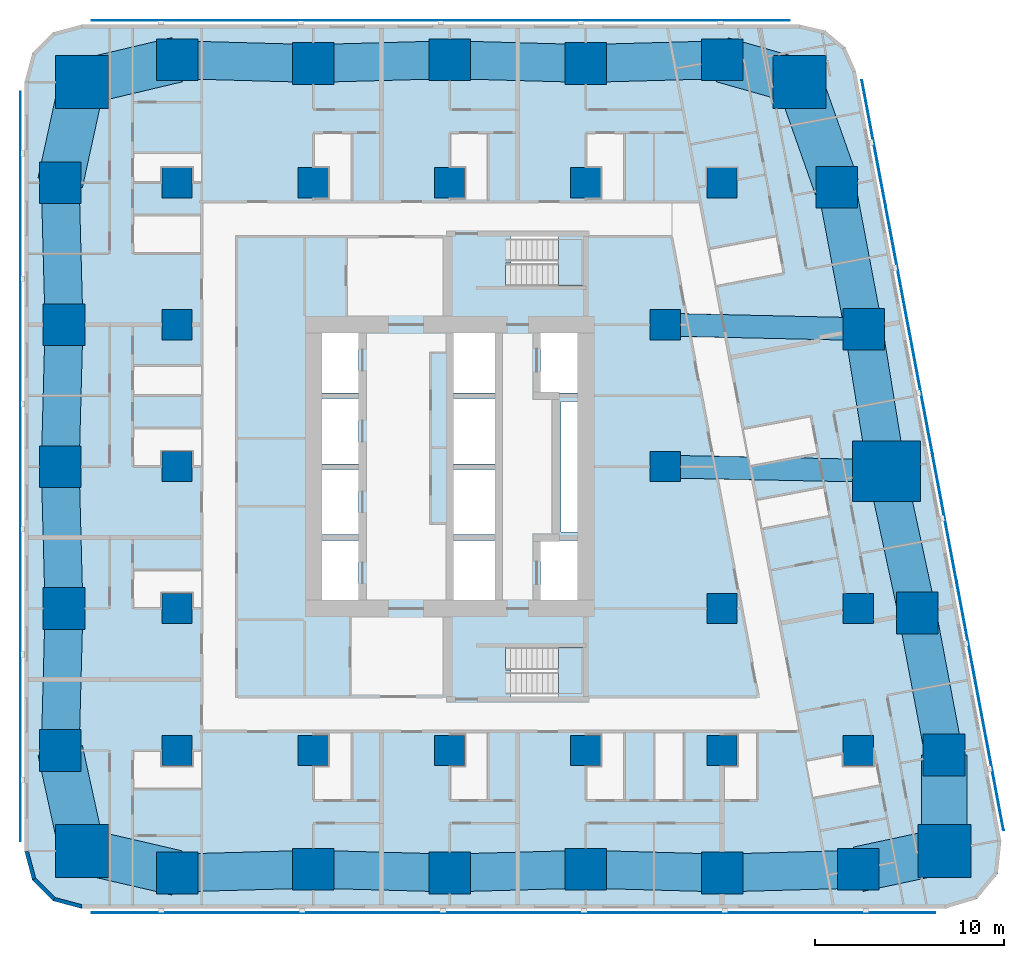
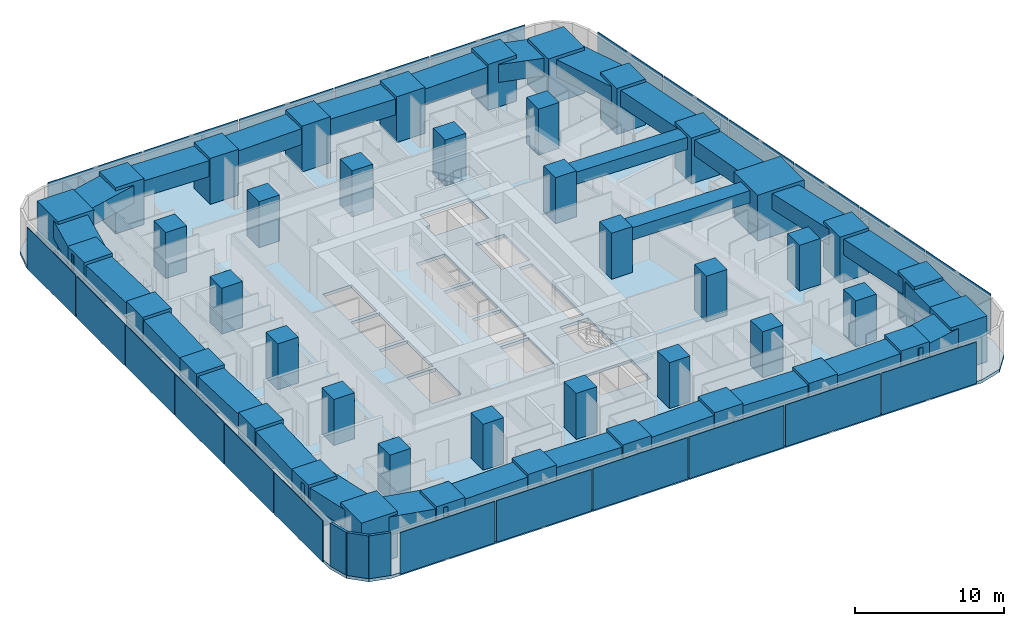
# One storey, part 1 of 16: 43 columns, 27 beams, 23 plates, 3 slabs, 3 walls, 2 elements without a shape of their own.
"""IFC4 building model written with IfcOpenShell, lengths in metres."""

from ifc_helpers import new_model, si_unit, direction, frame, frame_2d, origin, origin_2d, place, context, subcontext, project, spatial, polyline, rectangle, outline, extrude, material, layer, layer_set, material_profile, profile_set, type_object, element, aggregate, save


model = new_model("IFC4")

# Units and contexts
model_context = context("Model", 3, precision=1e-05, world=origin(), true_north=direction((0.0, 1.0)))
body_context = subcontext(model_context, "Body", "Model", "MODEL_VIEW")
ifc_project = project(units=[si_unit("LENGTHUNIT", "METRE"), si_unit("AREAUNIT", "SQUARE_METRE"), si_unit("VOLUMEUNIT", "CUBIC_METRE"), si_unit("PLANEANGLEUNIT", "RADIAN"), si_unit("MASSUNIT", "GRAM", prefix="KILO")], contexts=[model_context])

# Site, building, storey
site_placement = place(None, origin())
site = spatial("IfcSite", under=ifc_project, at=site_placement, CompositionType="ELEMENT")
building_placement = place(site_placement, origin())
building = spatial("IfcBuilding", under=site, at=building_placement, Name="Sheger Commons Tower", CompositionType="ELEMENT")
storey_placement = place(building_placement, frame((0.0, 0.0, 92.89990234375)))
storey = spatial("IfcBuildingStorey", under=building, at=storey_placement, Name="L23", CompositionType="ELEMENT", Elevation=92.89990234375)

# Columns
ifc_material_1 = material(Name="Concrete C50/60", Category="concrete")
ifc_material_profile_1 = material_profile(ifc_material_1, rectangle(XDim=3.60009765625, YDim=3.199951171875, at=origin_2d()), Name="RC 3600x3200")
ifc_profile_set_1 = profile_set([ifc_material_profile_1], Name="Concrete C50/60")
column_type_1 = type_object("IfcColumnType", Name="COLUMN PIER RC 3600x3200", PredefinedType="COLUMN", material=ifc_profile_set_1)
column_placement = place(storey_placement, frame((44.697021484375, 22.262939453125, 0.0), z_axis=(0.0, 0.0, 1.0), x_axis=(1.0, 0.0, 0.0)))
element("IfcColumn", 1, at=column_placement, inside=storey, type_object=column_type_1, Name="Pier 7/D+E/D L23", PredefinedType="COLUMN", context=body_context, shape_type="SweptSolid", body=[
    extrude(rectangle(XDim=3.60009765625, YDim=3.199951171875, at=origin_2d()), origin(), (0.0, 0.0, 1.0), 3.75),
])
ifc_material_2 = material(Name="Concrete C50/60", Category="concrete")
ifc_material_profile_2 = material_profile(ifc_material_2, rectangle(XDim=1.60009765625, YDim=1.60009765625, at=origin_2d()), Name="RC 1600x1600")
ifc_profile_set_2 = profile_set([ifc_material_profile_2], Name="Concrete C50/60")
column_type_2 = type_object("IfcColumnType", Name="COLUMN RC 1600x1600", PredefinedType="COLUMN", material=ifc_profile_set_2)
for number, where, z_axis, x_axis, name in (
    (2, (7.199951171875, 7.5, 0.0), (0.0, 0.0, 1.0), (1.0, 0.0, 0.0), "Column 2/B L23"),
    (3, (14.39990234375, 7.5, 0.0), (0.0, 0.0, 1.0), (1.0, 0.0, 0.0), "Column 3/B L23"),
    (4, (21.60009765625, 7.5, 0.0), (0.0, 0.0, 1.0), (1.0, 0.0, 0.0), "Column 4/B L23"),
    (5, (28.800048828125, 7.5, 0.0), (0.0, 0.0, 1.0), (1.0, 0.0, 0.0), "Column 5/B L23"),
    (6, (36.0, 7.5, 0.0), (0.0, 0.0, 1.0), (1.0, 0.0, 0.0), "Column 6/B L23"),
    (7, (43.199951171875, 7.5, 0.0), (0.0, 0.0, 1.0), (1.0, 0.0, 0.0), "Column 7/B L23"),
    (8, (7.199951171875, 15.0, 0.0), (0.0, 0.0, 1.0), (1.0, 0.0, 0.0), "Column 2/C L23"),
    (9, (36.0, 15.0, 0.0), (0.0, 0.0, 1.0), (1.0, 0.0, 0.0), "Column 6/C L23"),
    (10, (43.199951171875, 15.0, 0.0), (0.0, 0.0, 1.0), (1.0, 0.0, 0.0), "Column 7/C L23"),
    (11, (7.199951171875, 22.5, 0.0), (0.0, 0.0, 1.0), (1.0, 0.0, 0.0), "Column 2/D L23"),
    (12, (33.0, 22.5, 0.0), (0.0, 0.0, 1.0), (1.0, 0.0, 0.0), "Column 6-3000/D L23"),
    (13, (7.199951171875, 30.0, 0.0), (0.0, 0.0, 1.0), (1.0, 0.0, 0.0), "Column 2/E L23"),
    (14, (33.0, 30.0, 0.0), (0.0, 0.0, 1.0), (1.0, 0.0, 0.0), "Column 6-3000/E L23"),
    (15, (7.199951171875, 37.5, 0.0), (0.0, 0.0, 1.0), (1.0, 0.0, 0.0), "Column 2/F L23"),
    (16, (14.39990234375, 37.5, 0.0), (0.0, 0.0, 1.0), (1.0, 0.0, 0.0), "Column 3/F L23"),
    (17, (21.60009765625, 37.5, 0.0), (0.0, 0.0, 1.0), (1.0, 0.0, 0.0), "Column 4/F L23"),
    (18, (28.800048828125, 37.5, 0.0), (0.0, 0.0, 1.0), (1.0, 0.0, 0.0), "Column 5/F L23"),
    (19, (36.0, 37.5, 0.0), (0.0, 0.0, 1.0), (1.0, 0.0, 0.0), "Column 6/F L23"),
):
    element("IfcColumn", number, at=place(storey_placement, frame(where, z_axis=z_axis, x_axis=x_axis)), inside=storey, type_object=column_type_2, Name=name, PredefinedType="COLUMN", context=body_context, shape_type="SweptSolid", body=[
        extrude(rectangle(XDim=1.60009765625, YDim=1.60009765625, at=origin_2d()), origin(), (0.0, 0.0, 1.0), 3.75),
    ])
ifc_material_3 = material(Name="Concrete C50/60", Category="concrete")
ifc_material_profile_3 = material_profile(ifc_material_3, rectangle(XDim=2.199951171875, YDim=2.199951171875, at=origin_2d()), Name="RC 2200x2200")
ifc_profile_set_3 = profile_set([ifc_material_profile_3], Name="Concrete C50/60")
column_type_3 = type_object("IfcColumnType", Name="COLUMN RC 2200x2200", PredefinedType="COLUMN", material=ifc_profile_set_3)
for number, where, z_axis, x_axis, name in (
    (20, (7.199951171875, 1.02490234375, 0.0), (0.0, 0.0, 1.0), (1.0, 0.0, 0.0), "Column 2/A L23"),
    (21, (14.39990234375, 1.22509765625, 0.0), (0.0, 0.0, 1.0), (1.0, 0.0, 0.0), "Column 3/A L23"),
    (22, (21.60009765625, 1.02490234375, 0.0), (0.0, 0.0, 1.0), (1.0, 0.0, 0.0), "Column 4/A L23"),
    (23, (28.800048828125, 1.22509765625, 0.0), (0.0, 0.0, 1.0), (1.0, 0.0, 0.0), "Column 5/A L23"),
    (24, (36.0, 1.02490234375, 0.0), (0.0, 0.0, 1.0), (1.0, 0.0, 0.0), "Column 6/A L23"),
    (25, (43.199951171875, 1.22509765625, 0.0), (0.0, 0.0, 1.0), (1.0, 0.0, 0.0), "Column 7/A L23"),
    (26, (1.02490234375, 7.5, 0.0), (0.0, 0.0, 1.0), (1.0, 0.0, 0.0), "Column 1/B L23"),
    (27, (47.72998046875, 7.262939453125, 0.0), (0.0, 0.0, 1.0), (1.0, 0.0, 0.0), "Column E/B L23"),
    (28, (1.22509765625, 15.0, 0.0), (0.0, 0.0, 1.0), (1.0, 0.0, 0.0), "Column 1/C L23"),
    (29, (46.31396484375, 14.762939453125, 0.0), (0.0, 0.0, 1.0), (1.0, 0.0, 0.0), "Column E/C L23"),
    (30, (1.02490234375, 22.5, 0.0), (0.0, 0.0, 1.0), (1.0, 0.0, 0.0), "Column 1/D L23"),
    (31, (1.22509765625, 30.0, 0.0), (0.0, 0.0, 1.0), (1.0, 0.0, 0.0), "Column 1/E L23"),
    (32, (43.47998046875, 29.762939453125, 0.0), (0.0, 0.0, 1.0), (1.0, 0.0, 0.0), "Column E/E L23"),
    (33, (1.02490234375, 37.5, 0.0), (0.0, 0.0, 1.0), (1.0, 0.0, 0.0), "Column 1/F L23"),
    (34, (42.06396484375, 37.262939453125, 0.0), (0.0, 0.0, 1.0), (1.0, 0.0, 0.0), "Column E/F L23"),
    (35, (7.199951171875, 44.0, 0.0), (0.0, 0.0, 1.0), (1.0, 0.0, 0.0), "Column 2/G L23"),
    (36, (14.39990234375, 43.800048828125, 0.0), (0.0, 0.0, 1.0), (1.0, 0.0, 0.0), "Column 3/G L23"),
    (37, (21.60009765625, 44.0, 0.0), (0.0, 0.0, 1.0), (1.0, 0.0, 0.0), "Column 4/G L23"),
    (38, (28.800048828125, 43.800048828125, 0.0), (0.0, 0.0, 1.0), (1.0, 0.0, 0.0), "Column 5/G L23"),
    (39, (36.0, 44.0, 0.0), (0.0, 0.0, 1.0), (1.0, 0.0, 0.0), "Column 6/G L23"),
):
    element("IfcColumn", number, at=place(storey_placement, frame(where, z_axis=z_axis, x_axis=x_axis)), inside=storey, type_object=column_type_3, Name=name, PredefinedType="COLUMN", context=body_context, shape_type="SweptSolid", body=[
        extrude(rectangle(XDim=2.199951171875, YDim=2.199951171875, at=origin_2d()), origin(), (0.0, 0.0, 1.0), 3.75),
    ])
ifc_material_4 = material(Name="Concrete C50/60", Category="concrete")
ifc_material_profile_4 = material_profile(ifc_material_4, rectangle(XDim=2.800048828125, YDim=2.800048828125, at=origin_2d()), Name="RC 2800x2800")
ifc_profile_set_4 = profile_set([ifc_material_profile_4], Name="Concrete C50/60")
column_type_4 = type_object("IfcColumnType", Name="COLUMN RC 2800x2800", PredefinedType="COLUMN", material=ifc_profile_set_4)
for number, where, z_axis, x_axis, name in (
    (40, (2.18603515625, 2.18603515625, 0.0), (0.0, 0.0, 1.0), (1.0, 0.0, 0.0), "Column 0.630,0.630 L23"),
    (41, (47.748046875, 2.197021484375, 0.0), (0.0, 0.0, 1.0), (1.0, 0.0, 0.0), "Column 49.461,0.778 L23"),
    (42, (2.18603515625, 42.81396484375, 0.0), (0.0, 0.0, 1.0), (1.0, 0.0, 0.0), "Column 0.630,44.370 L23"),
    (43, (40.10205078125, 42.830078125, 0.0), (0.0, 0.0, 1.0), (1.0, 0.0, 0.0), "Column 41.490,44.505 L23"),
):
    element("IfcColumn", number, at=place(storey_placement, frame(where, z_axis=z_axis, x_axis=x_axis)), inside=storey, type_object=column_type_4, Name=name, PredefinedType="COLUMN", context=body_context, shape_type="SweptSolid", body=[
        extrude(rectangle(XDim=2.800048828125, YDim=2.800048828125, at=origin_2d()), origin(), (0.0, 0.0, 1.0), 3.75),
    ])

# Beams
ifc_material_5 = material(Name="Concrete C50/60", Category="concrete")
ifc_material_profile_5 = material_profile(ifc_material_5, rectangle(XDim=1.199951171875, YDim=1.0, at=origin_2d()), Name="RC 1200x1000")
ifc_profile_set_5 = profile_set([ifc_material_profile_5], Name="Concrete C50/60")
beam_type_1 = type_object("IfcBeamType", Name="BEAM RC 1200x1000", PredefinedType="BEAM", material=ifc_profile_set_5)
beam_1_placement = place(storey_placement, frame((33.0, 22.5, 3.0), z_axis=(0.999794692776, -0.02026258368, 0.0), x_axis=(0.02026258368, 0.999794692776, 0.0)))
element("IfcBeam", 44, at=beam_1_placement, inside=storey, type_object=beam_type_1, Name="Beam 6-3000/D-7/D under L24", PredefinedType="BEAM", context=body_context, shape_type="SweptSolid", body=[
    extrude(rectangle(XDim=1.199951171875, YDim=1.0, at=origin_2d()), origin(), (0.0, 0.0, 1.0), 11.699462890625),
])
beam_2_placement = place(storey_placement, frame((33.0, 30.0, 3.0), z_axis=(0.999744258625, -0.022614538395, 0.0), x_axis=(0.022614538395, 0.999744258625, 0.0)))
element("IfcBeam", 45, at=beam_2_placement, inside=storey, type_object=beam_type_1, Name="Beam 6-3000/E-E/E under L24", PredefinedType="BEAM", context=body_context, shape_type="SweptSolid", body=[
    extrude(rectangle(XDim=1.199951171875, YDim=1.0, at=origin_2d()), origin(), (0.0, 0.0, 1.0), 10.482666015625),
])
ifc_material_6 = material(Name="Concrete C50/60", Category="concrete")
ifc_material_profile_6 = material_profile(ifc_material_6, rectangle(XDim=2.0, YDim=1.300048828125, at=origin_2d()), Name="RC 2000x1300")
ifc_profile_set_6 = profile_set([ifc_material_profile_6], Name="Concrete C50/60")
beam_type_2 = type_object("IfcBeamType", Name="SPANDREL RC 2000x1300", PredefinedType="SPANDREL", material=ifc_profile_set_6)
beam_3_placement = place(storey_placement, frame((7.199951171875, 1.02490234375, 2.85009765625), z_axis=(0.9996136624, 0.027794350926, 0.0), x_axis=(-0.027794350926, 0.9996136624, 0.0)))
element("IfcBeam", 46, at=beam_3_placement, inside=storey, type_object=beam_type_2, Name="Beam 2/A-3/A under L24", PredefinedType="SPANDREL", context=body_context, shape_type="SweptSolid", body=[
    extrude(rectangle(XDim=2.0, YDim=1.300048828125, at=origin_2d()), origin(), (0.0, 0.0, 1.0), 7.20263671875),
])
beam_4_placement = place(storey_placement, frame((14.39990234375, 1.22509765625, 2.85009765625), z_axis=(0.999613688584, -0.027793409217, 0.0), x_axis=(0.027793409217, 0.999613688584, 0.0)))
element("IfcBeam", 47, at=beam_4_placement, inside=storey, type_object=beam_type_2, Name="Beam 3/A-4/A under L24", PredefinedType="SPANDREL", context=body_context, shape_type="SweptSolid", body=[
    extrude(rectangle(XDim=2.0, YDim=1.300048828125, at=origin_2d()), origin(), (0.0, 0.0, 1.0), 7.202880859375),
])
for number, where, z_axis, x_axis, name in (
    (48, (21.60009765625, 1.02490234375, 2.85009765625), (0.9996136624, 0.027794350926, 0.0), (-0.027794350926, 0.9996136624, 0.0), "Beam 4/A-5/A under L24"),
    (49, (28.800048828125, 1.22509765625, 2.85009765625), (0.9996136624, -0.027794350926, 0.0), (0.027794350926, 0.9996136624, 0.0), "Beam 5/A-6/A under L24"),
    (50, (36.0, 1.02490234375, 2.85009765625), (0.9996136624, 0.027794350926, 0.0), (-0.027794350926, 0.9996136624, 0.0), "Beam 6/A-7/A under L24"),
):
    element("IfcBeam", number, at=place(storey_placement, frame(where, z_axis=z_axis, x_axis=x_axis)), inside=storey, type_object=beam_type_2, Name=name, PredefinedType="SPANDREL", context=body_context, shape_type="SweptSolid", body=[
        extrude(rectangle(XDim=2.0, YDim=1.300048828125, at=origin_2d()), origin(), (0.0, 0.0, 1.0), 7.20263671875),
    ])
beam_5_placement = place(storey_placement, frame((47.72998046875, 7.262939453125, 2.85009765625), z_axis=(-0.18552441405, 0.982639655108, 0.0), x_axis=(-0.982639655108, -0.18552441405, 0.0)))
element("IfcBeam", 51, at=beam_5_placement, inside=storey, type_object=beam_type_2, Name="Beam E/B-E/C under L24", PredefinedType="SPANDREL", context=body_context, shape_type="SweptSolid", body=[
    extrude(rectangle(XDim=2.0, YDim=1.300048828125, at=origin_2d()), origin(), (0.0, 0.0, 1.0), 7.632568359375),
])
beam_6_placement = place(storey_placement, frame((46.31396484375, 14.762939453125, 2.85009765625), z_axis=(-0.210750229323, 0.977539943348, 0.0), x_axis=(-0.977539943348, -0.210750229323, 0.0)))
element("IfcBeam", 52, at=beam_6_placement, inside=storey, type_object=beam_type_2, Name="Beam E/C-E/D under L24", PredefinedType="SPANDREL", context=body_context, shape_type="SweptSolid", body=[
    extrude(rectangle(XDim=2.0, YDim=1.300048828125, at=origin_2d()), origin(), (0.0, 0.0, 1.0), 7.67236328125),
])
beam_7_placement = place(storey_placement, frame((44.697021484375, 22.262939453125, 2.85009765625), z_axis=(-0.160176929512, 0.987088319884, 0.0), x_axis=(-0.987088319884, -0.160176929512, 0.0)))
element("IfcBeam", 53, at=beam_7_placement, inside=storey, type_object=beam_type_2, Name="Beam E/D-E/E under L24", PredefinedType="SPANDREL", context=body_context, shape_type="SweptSolid", body=[
    extrude(rectangle(XDim=2.0, YDim=1.300048828125, at=origin_2d()), origin(), (0.0, 0.0, 1.0), 7.59814453125),
])
beam_8_placement = place(storey_placement, frame((43.47998046875, 29.762939453125, 2.85009765625), z_axis=(-0.18552441405, 0.982639655108, 0.0), x_axis=(-0.982639655108, -0.18552441405, 0.0)))
element("IfcBeam", 54, at=beam_8_placement, inside=storey, type_object=beam_type_2, Name="Beam E/E-E/F under L24", PredefinedType="SPANDREL", context=body_context, shape_type="SweptSolid", body=[
    extrude(rectangle(XDim=2.0, YDim=1.300048828125, at=origin_2d()), origin(), (0.0, 0.0, 1.0), 7.632568359375),
])
for number, where, z_axis, x_axis, name in (
    (55, (36.0, 44.0, 2.85009765625), (-0.999614603568, -0.027760481514, 0.0), (0.027760481514, -0.999614603568, 0.0), "Beam 6/G-5/G under L24"),
    (56, (28.800048828125, 43.800048828125, 2.85009765625), (-0.999614603568, 0.027760481514, 0.0), (-0.027760481514, -0.999614603568, 0.0), "Beam 5/G-4/G under L24"),
):
    element("IfcBeam", number, at=place(storey_placement, frame(where, z_axis=z_axis, x_axis=x_axis)), inside=storey, type_object=beam_type_2, Name=name, PredefinedType="SPANDREL", context=body_context, shape_type="SweptSolid", body=[
        extrude(rectangle(XDim=2.0, YDim=1.300048828125, at=origin_2d()), origin(), (0.0, 0.0, 1.0), 7.20263671875),
    ])
beam_9_placement = place(storey_placement, frame((21.60009765625, 44.0, 2.85009765625), z_axis=(-0.999614629688, -0.027759540951, 0.0), x_axis=(0.027759540951, -0.999614629688, 0.0)))
element("IfcBeam", 57, at=beam_9_placement, inside=storey, type_object=beam_type_2, Name="Beam 4/G-3/G under L24", PredefinedType="SPANDREL", context=body_context, shape_type="SweptSolid", body=[
    extrude(rectangle(XDim=2.0, YDim=1.300048828125, at=origin_2d()), origin(), (0.0, 0.0, 1.0), 7.202880859375),
])
beam_10_placement = place(storey_placement, frame((14.39990234375, 43.800048828125, 2.85009765625), z_axis=(-0.999614603568, 0.027760481514, 0.0), x_axis=(-0.027760481514, -0.999614603568, 0.0)))
element("IfcBeam", 58, at=beam_10_placement, inside=storey, type_object=beam_type_2, Name="Beam 3/G-2/G under L24", PredefinedType="SPANDREL", context=body_context, shape_type="SweptSolid", body=[
    extrude(rectangle(XDim=2.0, YDim=1.300048828125, at=origin_2d()), origin(), (0.0, 0.0, 1.0), 7.20263671875),
])
for number, where, z_axis, x_axis, name in (
    (59, (1.02490234375, 37.5, 2.85009765625), (0.026683204125, -0.999643939919, 0.0), (0.999643939919, 0.026683204125, 0.0), "Beam 1/F-1/E under L24"),
    (60, (1.22509765625, 30.0, 2.85009765625), (-0.026683204125, -0.999643939919, 0.0), (0.999643939919, -0.026683204125, 0.0), "Beam 1/E-1/D under L24"),
    (61, (1.02490234375, 22.5, 2.85009765625), (0.026683204125, -0.999643939919, 0.0), (0.999643939919, 0.026683204125, 0.0), "Beam 1/D-1/C under L24"),
    (62, (1.22509765625, 15.0, 2.85009765625), (-0.026683204125, -0.999643939919, 0.0), (0.999643939919, -0.026683204125, 0.0), "Beam 1/C-1/B under L24"),
):
    element("IfcBeam", number, at=place(storey_placement, frame(where, z_axis=z_axis, x_axis=x_axis)), inside=storey, type_object=beam_type_2, Name=name, PredefinedType="SPANDREL", context=body_context, shape_type="SweptSolid", body=[
        extrude(rectangle(XDim=2.0, YDim=1.300048828125, at=origin_2d()), origin(), (0.0, 0.0, 1.0), 7.502685546875),
    ])
ifc_material_7 = material(Name="Concrete C50/60", Category="concrete")
ifc_material_profile_7 = material_profile(ifc_material_7, rectangle(XDim=2.39990234375, YDim=1.449951171875, at=origin_2d()), Name="RC 2400x1450")
ifc_profile_set_7 = profile_set([ifc_material_profile_7], Name="Concrete C50/60")
beam_type_3 = type_object("IfcBeamType", Name="SPANDREL RC 2400x1450", PredefinedType="SPANDREL", material=ifc_profile_set_7)
beam_11_placement = place(storey_placement, frame((2.18603515625, 2.18603515625, 2.775146484375), z_axis=(0.974217413499, -0.225611239159, 0.0), x_axis=(0.225611239159, 0.974217413499, 0.0)))
element("IfcBeam", 63, at=beam_11_placement, inside=storey, type_object=beam_type_3, Name="Beam 0.630,0.630-2/A under L24", PredefinedType="SPANDREL", context=body_context, shape_type="SweptSolid", body=[
    extrude(rectangle(XDim=2.39990234375, YDim=1.449951171875, at=origin_2d()), origin(), (0.0, 0.0, 1.0), 5.146728515625),
])
beam_12_placement = place(storey_placement, frame((43.199951171875, 1.22509765625, 2.775146484375), z_axis=(0.977919796671, 0.208980552394, 0.0), x_axis=(-0.208980552394, 0.977919796671, 0.0)))
element("IfcBeam", 64, at=beam_12_placement, inside=storey, type_object=beam_type_3, Name="Beam 7/A-49.461,0.778 under L24", PredefinedType="SPANDREL", context=body_context, shape_type="SweptSolid", body=[
    extrude(rectangle(XDim=2.39990234375, YDim=1.449951171875, at=origin_2d()), origin(), (0.0, 0.0, 1.0), 4.65087890625),
])
beam_13_placement = place(storey_placement, frame((47.748046875, 2.197021484375, 2.775146484375), z_axis=(-0.003566242382, 0.999993640937, 0.0), x_axis=(-0.999993640937, -0.003566242382, 0.0)))
element("IfcBeam", 65, at=beam_13_placement, inside=storey, type_object=beam_type_3, Name="Beam 49.461,0.778-E/B under L24", PredefinedType="SPANDREL", context=body_context, shape_type="SweptSolid", body=[
    extrude(rectangle(XDim=2.39990234375, YDim=1.449951171875, at=origin_2d()), origin(), (0.0, 0.0, 1.0), 5.06591796875),
])
beam_14_placement = place(storey_placement, frame((42.06396484375, 37.262939453125, 2.775146484375), z_axis=(-0.332374403357, 0.943147526102, 0.0), x_axis=(-0.943147526102, -0.332374403357, 0.0)))
element("IfcBeam", 66, at=beam_14_placement, inside=storey, type_object=beam_type_3, Name="Beam E/F-41.490,44.505 under L24", PredefinedType="SPANDREL", context=body_context, shape_type="SweptSolid", body=[
    extrude(rectangle(XDim=2.39990234375, YDim=1.449951171875, at=origin_2d()), origin(), (0.0, 0.0, 1.0), 5.90283203125),
])
beam_15_placement = place(storey_placement, frame((40.10205078125, 42.830078125, 2.775146484375), z_axis=(-0.961653428129, 0.274267541221, 0.0), x_axis=(-0.274267541221, -0.961653428129, 0.0)))
element("IfcBeam", 67, at=beam_15_placement, inside=storey, type_object=beam_type_3, Name="Beam 41.490,44.505-6/G under L24", PredefinedType="SPANDREL", context=body_context, shape_type="SweptSolid", body=[
    extrude(rectangle(XDim=2.39990234375, YDim=1.449951171875, at=origin_2d()), origin(), (0.0, 0.0, 1.0), 4.265625),
])
beam_16_placement = place(storey_placement, frame((7.199951171875, 44.0, 2.775146484375), z_axis=(-0.97314428949, -0.230195985701, 0.0), x_axis=(0.230195985701, -0.97314428949, 0.0)))
element("IfcBeam", 68, at=beam_16_placement, inside=storey, type_object=beam_type_3, Name="Beam 2/G-0.630,44.370 under L24", PredefinedType="SPANDREL", context=body_context, shape_type="SweptSolid", body=[
    extrude(rectangle(XDim=2.39990234375, YDim=1.449951171875, at=origin_2d()), origin(), (0.0, 0.0, 1.0), 5.15234375),
])
for number, where, z_axis, x_axis, name in (
    (69, (2.18603515625, 42.81396484375, 2.775146484375), (-0.213469314652, -0.976949769283, 0.0), (0.976949769283, -0.213469314652, 0.0), "Beam 0.630,44.370-1/F under L24"),
    (70, (1.02490234375, 7.5, 2.775146484375), (0.213469314652, -0.976949769283, 0.0), (0.976949769283, 0.213469314652, 0.0), "Beam 1/B-0.630,0.630 under L24"),
):
    element("IfcBeam", number, at=place(storey_placement, frame(where, z_axis=z_axis, x_axis=x_axis)), inside=storey, type_object=beam_type_3, Name=name, PredefinedType="SPANDREL", context=body_context, shape_type="SweptSolid", body=[
        extrude(rectangle(XDim=2.39990234375, YDim=1.449951171875, at=origin_2d()), origin(), (0.0, 0.0, 1.0), 5.439453125),
    ])

# Slab
ifc_material_8 = material(Name="Concrete C35/45", Category="concrete")
ifc_layer_1 = layer(ifc_material_8, 0.25)
ifc_layer_set_1 = layer_set([ifc_layer_1], Name="SLAB FLOOR 250")
slab_type_1 = type_object("IfcSlabType", Name="SLAB FLOOR 250", PredefinedType="FLOOR", material=ifc_layer_set_1)
slab_1_placement = place(storey_placement, frame((0.0, 0.0, -0.25)))
element("IfcSlab", 71, at=slab_1_placement, inside=storey, type_object=slab_type_1, Name="L23 floor slab", PredefinedType="FLOOR", context=body_context, shape_type="SweptSolid", body=[
    extrude(outline(polyline([(-0.85009765625, 2.14990234375), (-0.447998046875, 0.64990234375), (0.64990234375, -0.447998046875), (2.14990234375, -0.85009765625), (47.805908203125, -0.85009765625), (49.465087890625, -0.35009765625), (50.570068359375, 0.98388671875), (50.75390625, 2.70703125), (43.06591796875, 43.406982421875), (42.509033203125, 44.660888671875), (41.452880859375, 45.535888671875), (40.117919921875, 45.85009765625), (2.14990234375, 45.85009765625), (0.64990234375, 45.447998046875), (-0.447998046875, 44.35009765625), (-0.85009765625, 42.85009765625), (-0.85009765625, 2.14990234375)]), holes=[polyline([(24.85009765625, 10.35009765625), (28.64990234375, 10.35009765625), (28.64990234375, 12.949951171875), (24.551025390625, 12.949951171875), (24.551025390625, 11.75), (24.85009765625, 11.75), (24.85009765625, 10.35009765625)]), polyline([(24.551025390625, 32.050048828125), (28.64990234375, 32.050048828125), (28.64990234375, 34.64990234375), (24.85009765625, 34.64990234375), (24.85009765625, 33.25), (24.551025390625, 33.25), (24.551025390625, 32.050048828125)]), polyline([(26.39990234375, 15.14990234375), (28.60009765625, 15.14990234375), (28.60009765625, 18.60009765625), (26.39990234375, 18.60009765625), (26.39990234375, 15.14990234375)]), polyline([(26.39990234375, 26.39990234375), (28.60009765625, 26.39990234375), (28.60009765625, 29.85009765625), (26.39990234375, 29.85009765625), (26.39990234375, 26.39990234375)]), polyline([(14.60009765625, 15.14990234375), (16.800048828125, 15.14990234375), (16.800048828125, 18.60009765625), (14.60009765625, 18.60009765625), (14.60009765625, 15.14990234375)]), polyline([(14.60009765625, 18.89990234375), (16.800048828125, 18.89990234375), (16.800048828125, 22.35009765625), (14.60009765625, 22.35009765625), (14.60009765625, 18.89990234375)]), polyline([(14.60009765625, 22.64990234375), (16.800048828125, 22.64990234375), (16.800048828125, 26.10009765625), (14.60009765625, 26.10009765625), (14.60009765625, 22.64990234375)]), polyline([(14.60009765625, 26.39990234375), (16.800048828125, 26.39990234375), (16.800048828125, 29.85009765625), (14.60009765625, 29.85009765625), (14.60009765625, 26.39990234375)]), polyline([(21.800048828125, 15.14990234375), (24.0, 15.14990234375), (24.0, 18.60009765625), (21.800048828125, 18.60009765625), (21.800048828125, 15.14990234375)]), polyline([(21.800048828125, 18.89990234375), (24.0, 18.89990234375), (24.0, 22.35009765625), (21.800048828125, 22.35009765625), (21.800048828125, 18.89990234375)]), polyline([(21.800048828125, 22.64990234375), (24.0, 22.64990234375), (24.0, 26.10009765625), (21.800048828125, 26.10009765625), (21.800048828125, 22.64990234375)]), polyline([(21.800048828125, 26.39990234375), (24.0, 26.39990234375), (24.0, 29.85009765625), (21.800048828125, 29.85009765625), (21.800048828125, 26.39990234375)]), polyline([(27.5, 19.050048828125), (28.5, 19.050048828125), (28.5, 25.949951171875), (27.5, 25.949951171875), (27.5, 19.050048828125)])]), origin(), (0.0, 0.0, 1.0), 0.25),
])

# Plates
ifc_material_9 = material(Name="Perforated black anodised aluminium screen", Category="aluminium")
ifc_layer_2 = layer(ifc_material_9, 0.050048828125)
ifc_layer_set_2 = layer_set([ifc_layer_2], Name="SOLAR SCREEN SCREEN-1")
plate_type = type_object("IfcPlateType", Name="SOLAR SCREEN SCREEN-1", PredefinedType="USERDEFINED", material=ifc_layer_set_2)
for number, where, z_axis, x_axis, name in (
    (72, (6.37109375, -1.074951171875, 0.050048828125), (0.0, 0.0, 1.0), (1.0, 0.0, 0.0), "Perforated solar screen panel"),
    (73, (13.81396484375, -1.074951171875, 0.050048828125), (0.0, 0.0, 1.0), (1.0, 0.0, 0.0), "Perforated solar screen panel"),
    (74, (21.257080078125, -1.074951171875, 0.050048828125), (0.0, 0.0, 1.0), (1.0, 0.0, 0.0), "Perforated solar screen panel"),
    (75, (28.698974609375, -1.074951171875, 0.050048828125), (0.0, 0.0, 1.0), (1.0, 0.0, 0.0), "Perforated solar screen panel"),
    (76, (36.14208984375, -1.074951171875, 0.050048828125), (0.0, 0.0, 1.0), (1.0, 0.0, 0.0), "Perforated solar screen panel"),
    (77, (43.5849609375, -1.074951171875, 0.050048828125), (0.0, 0.0, 1.0), (1.0, 0.0, 0.0), "Perforated solar screen panel"),
):
    element("IfcPlate", number, at=place(storey_placement, frame(where, z_axis=z_axis, x_axis=x_axis)), inside=storey, type_object=plate_type, Name=name, ObjectType="SCREEN", PredefinedType="USERDEFINED", context=body_context, shape_type="SweptSolid", body=[
        extrude(rectangle(XDim=7.343017578125, YDim=0.050048828125, at=origin_2d()), origin(), (0.0, 0.0, 1.0), 3.39990234375),
    ])
for number, where, z_axis, x_axis, name in (
    (78, (50.257080078125, 6.550048828125, 0.050048828125), (0.0, 0.0, 1.0), (-0.185615165645, 0.982622516678, 0.0), "Perforated solar screen panel"),
    (79, (49.007080078125, 13.1689453125, 0.050048828125), (0.0, 0.0, 1.0), (-0.185615165645, 0.982622516678, 0.0), "Perforated solar screen panel"),
    (80, (47.756103515625, 19.7890625, 0.050048828125), (0.0, 0.0, 1.0), (-0.185615165645, 0.982622516678, 0.0), "Perforated solar screen panel"),
    (81, (46.506103515625, 26.408935546875, 0.050048828125), (0.0, 0.0, 1.0), (-0.185615165645, 0.982622516678, 0.0), "Perforated solar screen panel"),
    (82, (45.2548828125, 33.028076171875, 0.050048828125), (0.0, 0.0, 1.0), (-0.185615165645, 0.982622516678, 0.0), "Perforated solar screen panel"),
    (83, (44.0048828125, 39.64794921875, 0.050048828125), (0.0, 0.0, 1.0), (-0.185615165645, 0.982622516678, 0.0), "Perforated solar screen panel"),
):
    element("IfcPlate", number, at=place(storey_placement, frame(where, z_axis=z_axis, x_axis=x_axis)), inside=storey, type_object=plate_type, Name=name, ObjectType="SCREEN", PredefinedType="USERDEFINED", context=body_context, shape_type="SweptSolid", body=[
        extrude(rectangle(XDim=6.636962890625, YDim=0.050048828125, at=origin_2d()), origin(), (0.0, 0.0, 1.0), 3.39990234375),
    ])
for number, where, z_axis, x_axis, name in (
    (84, (35.9208984375, 46.074951171875, 0.050048828125), (0.0, 0.0, 1.0), (-1.0, 0.0, 0.0), "Perforated solar screen panel"),
    (85, (28.528076171875, 46.074951171875, 0.050048828125), (0.0, 0.0, 1.0), (-1.0, 0.0, 0.0), "Perforated solar screen panel"),
    (86, (21.134033203125, 46.074951171875, 0.050048828125), (0.0, 0.0, 1.0), (-1.0, 0.0, 0.0), "Perforated solar screen panel"),
    (87, (13.739990234375, 46.074951171875, 0.050048828125), (0.0, 0.0, 1.0), (-1.0, 0.0, 0.0), "Perforated solar screen panel"),
    (88, (6.346923828125, 46.074951171875, 0.050048828125), (0.0, 0.0, 1.0), (-1.0, 0.0, 0.0), "Perforated solar screen panel"),
):
    element("IfcPlate", number, at=place(storey_placement, frame(where, z_axis=z_axis, x_axis=x_axis)), inside=storey, type_object=plate_type, Name=name, ObjectType="SCREEN", PredefinedType="USERDEFINED", context=body_context, shape_type="SweptSolid", body=[
        extrude(rectangle(XDim=7.2939453125, YDim=0.050048828125, at=origin_2d()), origin(), (0.0, 0.0, 1.0), 3.39990234375),
    ])
for number, where, z_axis, x_axis, name in (
    (89, (-1.074951171875, 39.0419921875, 0.050048828125), (0.0, 0.0, 1.0), (0.0, -1.0, 0.0), "Perforated solar screen panel"),
    (90, (-1.074951171875, 32.425048828125, 0.050048828125), (0.0, 0.0, 1.0), (0.0, -1.0, 0.0), "Perforated solar screen panel"),
    (91, (-1.074951171875, 25.80810546875, 0.050048828125), (0.0, 0.0, 1.0), (0.0, -1.0, 0.0), "Perforated solar screen panel"),
    (92, (-1.074951171875, 19.19189453125, 0.050048828125), (0.0, 0.0, 1.0), (0.0, -1.0, 0.0), "Perforated solar screen panel"),
    (93, (-1.074951171875, 12.574951171875, 0.050048828125), (0.0, 0.0, 1.0), (0.0, -1.0, 0.0), "Perforated solar screen panel"),
    (94, (-1.074951171875, 5.9580078125, 0.050048828125), (0.0, 0.0, 1.0), (0.0, -1.0, 0.0), "Perforated solar screen panel"),
):
    element("IfcPlate", number, at=place(storey_placement, frame(where, z_axis=z_axis, x_axis=x_axis)), inside=storey, type_object=plate_type, Name=name, ObjectType="SCREEN", PredefinedType="USERDEFINED", context=body_context, shape_type="SweptSolid", body=[
        extrude(rectangle(XDim=6.51708984375, YDim=0.050048828125, at=origin_2d()), origin(), (0.0, 0.0, 1.0), 3.39990234375),
    ])

# Stair, slab
ifc_material_10 = material(Name="Concrete C35/45", Category="concrete")
stair_type = type_object("IfcStairType", Name="HALF-TURN STAIR 1200 RISE 3750", PredefinedType="HALF_TURN_STAIR", material=ifc_material_10)
stair_1_placement = place(storey_placement, origin())
stair_1 = element("IfcStair", 95, at=stair_1_placement, inside=storey, type_object=stair_type, Name="Stair S1 L23", PredefinedType="HALF_TURN_STAIR")
ifc_material_11 = material(Name="Concrete C35/45", Category="concrete")
ifc_layer_3 = layer(ifc_material_11, 0.199951171875)
ifc_layer_set_3 = layer_set([ifc_layer_3], Name="STAIR LANDING 200")
slab_type_2 = type_object("IfcSlabType", Name="STAIR LANDING 200", PredefinedType="LANDING", material=ifc_layer_set_3)
slab_2_placement = place(storey_placement, frame((0.0, 0.0, 1.675048828125)))
slab_2 = element("IfcSlab", 96, at=slab_2_placement, type_object=slab_type_2, Name="S1 landing 1", PredefinedType="LANDING", context=body_context, shape_type="SweptSolid", body=[
    extrude(outline(polyline([(27.35009765625, 10.199951171875), (28.800048828125, 10.199951171875), (28.800048828125, 12.949951171875), (27.35009765625, 12.949951171875), (27.35009765625, 10.199951171875)])), origin(), (0.0, 0.0, 1.0), 0.199951171875),
])
aggregate(stair_1, [slab_2])

stair_2_placement = place(storey_placement, origin())
stair_2 = element("IfcStair", 97, at=stair_2_placement, inside=storey, type_object=stair_type, Name="Stair S2 L23", PredefinedType="HALF_TURN_STAIR")
slab_3_placement = place(storey_placement, frame((0.0, 0.0, 1.675048828125)))
slab_3 = element("IfcSlab", 98, at=slab_3_placement, type_object=slab_type_2, Name="S2 landing 1", PredefinedType="LANDING", context=body_context, shape_type="SweptSolid", body=[
    extrude(outline(polyline([(27.35009765625, 32.050048828125), (28.800048828125, 32.050048828125), (28.800048828125, 34.800048828125), (27.35009765625, 34.800048828125), (27.35009765625, 32.050048828125)])), origin(), (0.0, 0.0, 1.0), 0.199951171875),
])
aggregate(stair_2, [slab_3])

# Walls
ifc_material_12 = material(Name="Rendered concrete block masonry, dark grey", Category="masonry")
ifc_layer_4 = layer(ifc_material_12, 0.199951171875)
ifc_layer_set_4 = layer_set([ifc_layer_4], Name="FACADE WALL 200")
wall_type = type_object("IfcWallType", Name="FACADE WALL 200", PredefinedType="SOLIDWALL", material=ifc_layer_set_4)
wall_1_placement = place(storey_placement, frame((-0.75, 2.1630859375, 0.0), z_axis=(0.0, 0.0, 1.0), x_axis=(0.259168954497, -0.965832000415, 0.0)))
element("IfcWall", 99, at=wall_1_placement, inside=storey, type_object=wall_type, Name="Facade wall L23", PredefinedType="SOLIDWALL", context=body_context, shape_type="SweptSolid", body=[
    extrude(rectangle(XDim=1.512939453125, YDim=0.199951171875, at=frame_2d((0.75634765625, 0.0))), origin(), (0.0, 0.0, 1.0), 3.5),
])
wall_2_placement = place(storey_placement, frame((-0.35791015625, 0.701904296875, 0.0), z_axis=(0.0, 0.0, 1.0), x_axis=(0.707106781187, -0.707106781187, 0.0)))
element("IfcWall", 100, at=wall_2_placement, inside=storey, type_object=wall_type, Name="Facade wall L23", PredefinedType="SOLIDWALL", context=body_context, shape_type="SweptSolid", body=[
    extrude(rectangle(XDim=1.498779296875, YDim=0.199951171875, at=frame_2d((0.74951171875, 0.0))), origin(), (0.0, 0.0, 1.0), 3.5),
])
wall_3_placement = place(storey_placement, frame((0.701904296875, -0.35791015625, 0.0), z_axis=(0.0, 0.0, 1.0), x_axis=(0.965832000415, -0.259168954497, 0.0)))
element("IfcWall", 101, at=wall_3_placement, inside=storey, type_object=wall_type, Name="Facade wall L23", PredefinedType="SOLIDWALL", context=body_context, shape_type="SweptSolid", body=[
    extrude(rectangle(XDim=1.512939453125, YDim=0.199951171875, at=frame_2d((0.75634765625, 0.0))), origin(), (0.0, 0.0, 1.0), 3.5),
])

save(model, "model.ifc")
